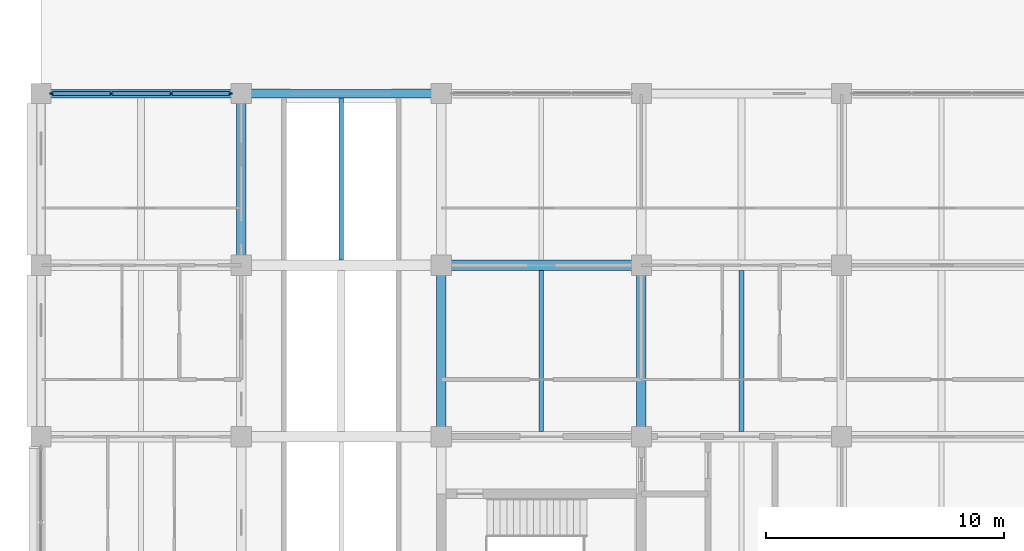
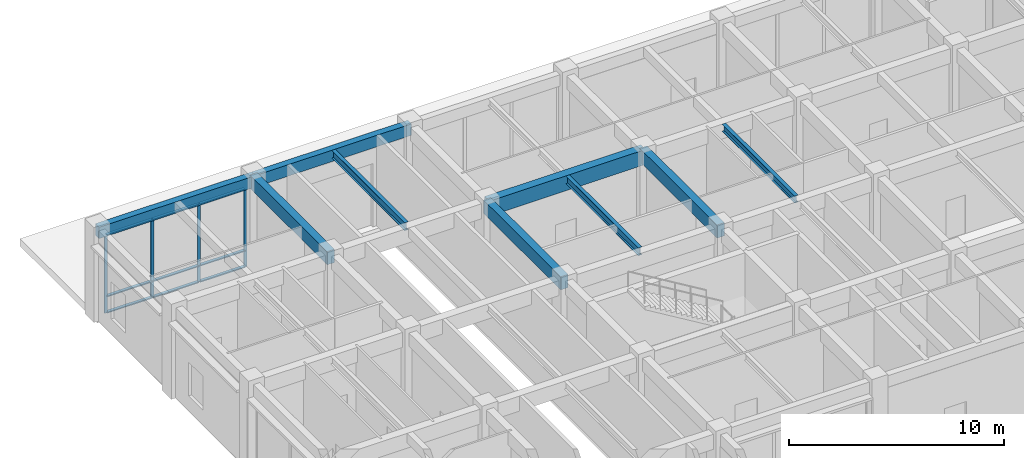
# One storey, part 16 of 73: 13 members, 9 beams, 1 element without a shape of its own.
"""IFC4 building model written with IfcOpenShell, lengths in metres."""

import ifcopenshell
import ifcopenshell.guid

model = None  # the IFC model being written
_history = None  # IfcOwnerHistory: only IFC2X3 demands one
_inside = {}  # id of a spatial element -> (the spatial element, [elements in it])
_under = {}  # id of a project, library or spatial element -> (it, [spatial elements below it])
_declared = {}  # id of a project -> (the project, [libraries it declares])
_typed = {}  # id of a type object -> (the type object, [elements of that type])
_made_of = {}  # id of a material, layer set ... -> (it, [elements and type objects made of it])


def new_model(schema):
    """Start an empty IFC model of exactly this schema.

    Asked for "IFC4X3", IfcOpenShell would pick the latest addendum, in which some entities
    have other attributes; the version numbers below select the first issue.
    IFC2X3 requires an IfcOwnerHistory on every rooted entity: one is made here for all.
    """
    global model, _history
    if schema == "IFC4X3":
        model = ifcopenshell.file(schema_version=(4, 3, 0, 0))
    else:
        model = ifcopenshell.file(schema=schema)
    _inside.clear()
    _under.clear()
    _declared.clear()
    _typed.clear()
    _made_of.clear()
    _history = None
    if model.schema == "IFC2X3":
        org = make("IfcOrganization", Name="unknown")
        user = make(
            "IfcPersonAndOrganization",
            ThePerson=make("IfcPerson", FamilyName="unknown"),
            TheOrganization=org,
        )
        app = make(
            "IfcApplication",
            ApplicationDeveloper=org,
            Version="unknown",
            ApplicationFullName="unknown",
            ApplicationIdentifier="unknown",
        )
        _history = make(
            "IfcOwnerHistory",
            OwningUser=user,
            OwningApplication=app,
            ChangeAction="ADDED",
            CreationDate=0,
        )
    return model


def make(cls, **values):
    """One entity of the class cls with the attributes given. An attribute that is None is left unset."""
    return model.create_entity(
        cls, **{name: value for name, value in values.items() if value is not None}
    )


def rooted(cls, **values):
    """An entity with a GlobalId (a new one), such as an element, a storey or a relation."""
    return make(cls, GlobalId=ifcopenshell.guid.new(), OwnerHistory=_history, **values)


def si_unit(unit_type, name, prefix=None):
    """IfcSIUnit, for example si_unit("LENGTHUNIT", "METRE", prefix="MILLI")."""
    return make("IfcSIUnit", UnitType=unit_type, Prefix=prefix, Name=name)


def assignment(units):
    """IfcUnitAssignment: the units of a project."""
    return None if units is None else make("IfcUnitAssignment", Units=units)


def point(xyz):
    """IfcCartesianPoint."""
    return None if xyz is None else make("IfcCartesianPoint", Coordinates=xyz)


def direction(xyz):
    """IfcDirection."""
    return None if xyz is None else make("IfcDirection", DirectionRatios=xyz)


def frame(location, z_axis=None, x_axis=None):
    """IfcAxis2Placement3D, a coordinate frame: its origin and axes. An axis left out is left unset."""
    return make(
        "IfcAxis2Placement3D",
        Location=point(location),
        Axis=direction(z_axis),
        RefDirection=direction(x_axis),
    )


def frame_2d(location, x_axis=None):
    """IfcAxis2Placement2D, a coordinate frame in the plane: its origin and x axis."""
    return make(
        "IfcAxis2Placement2D", Location=point(location), RefDirection=direction(x_axis)
    )


def origin():
    """The frame at (0, 0, 0) with its axes left unset."""
    return frame((0.0, 0.0, 0.0))


def origin_2d():
    """The frame at (0, 0) in the plane with its x axis left unset."""
    return frame_2d((0.0, 0.0))


def place(relative_to, where):
    """IfcLocalPlacement: puts the frame where relative to a parent placement (None: the world)."""
    return make(
        "IfcLocalPlacement", PlacementRelTo=relative_to, RelativePlacement=where
    )


def context(
    kind, dimensions, precision=None, world=None, true_north=None, identifier=None
):
    """IfcGeometricRepresentationContext, for example the 3D "Model" context."""
    return make(
        "IfcGeometricRepresentationContext",
        ContextIdentifier=identifier,
        ContextType=kind,
        CoordinateSpaceDimension=dimensions,
        Precision=precision,
        WorldCoordinateSystem=world,
        TrueNorth=true_north,
    )


def subcontext(parent, identifier, kind, view, scale=None):
    """IfcGeometricRepresentationSubContext, for example "Body" below "Model"."""
    return make(
        "IfcGeometricRepresentationSubContext",
        ContextIdentifier=identifier,
        ContextType=kind,
        ParentContext=parent,
        TargetScale=scale,
        TargetView=view,
    )


def project(units=None, contexts=None):
    """IfcProject with its units and contexts."""
    return rooted(
        "IfcProject",
        Name="project",
        RepresentationContexts=contexts,
        UnitsInContext=assignment(units),
    )


def spatial(cls, under=None, at=None, **own):
    """A site, building, storey or space (cls), placed at a placement, below another one or the project."""
    s = rooted(cls, ObjectPlacement=at, **own)
    if under is not None:
        _under.setdefault(under.id(), (under, []))[1].append(s)
    return s


def profile(cls, at=None, kind="AREA", **sizes):
    """A parametric profile (cls). Its sizes go by their IFC names, for example OverallWidth=200.0."""
    return make(cls, ProfileType=kind, Position=at, **sizes)


def rectangle(**sizes):
    """IfcRectangleProfileDef."""
    return profile("IfcRectangleProfileDef", **sizes)


def i_section(**sizes):
    """IfcIShapeProfileDef."""
    return profile("IfcIShapeProfileDef", **sizes)


def extrude(swept, where, along, depth):
    """IfcExtrudedAreaSolid: the profile swept, set in the frame where, extruded along a direction by depth."""
    return make(
        "IfcExtrudedAreaSolid",
        SweptArea=swept,
        Position=where,
        ExtrudedDirection=direction(along),
        Depth=depth,
    )


def shape(context_of_items, identifier, shape_type, items):
    """IfcShapeRepresentation: the items that make up one representation, for example the "Body"."""
    return make(
        "IfcShapeRepresentation",
        ContextOfItems=context_of_items,
        RepresentationIdentifier=identifier,
        RepresentationType=shape_type,
        Items=items,
    )


def material(Name=None, Category=None):
    """IfcMaterial."""
    return make("IfcMaterial", Name=Name, Category=Category)


def layer(
    of_material, thickness, ventilated=None, Name=None, Category=None, Priority=None
):
    """IfcMaterialLayer: one layer of a wall or slab, of a material (None: an air gap)."""
    return make(
        "IfcMaterialLayer",
        Material=of_material,
        LayerThickness=thickness,
        IsVentilated=ventilated,
        Name=Name,
        Category=Category,
        Priority=Priority,
    )


def layer_set(layers, Name=None):
    """IfcMaterialLayerSet."""
    return make("IfcMaterialLayerSet", MaterialLayers=layers, LayerSetName=Name)


def material_profile(
    of_material, cross_section, Name=None, Category=None, Priority=None
):
    """IfcMaterialProfile: a cross section and its material."""
    return make(
        "IfcMaterialProfile",
        Name=Name,
        Material=of_material,
        Profile=cross_section,
        Priority=Priority,
        Category=Category,
    )


def profile_set(profiles, Name=None, composite=None):
    """IfcMaterialProfileSet."""
    return make(
        "IfcMaterialProfileSet",
        Name=Name,
        MaterialProfiles=profiles,
        CompositeProfile=composite,
    )


def made_of(thing, what):
    """Note that an element or type object is made of a material, layer set ...; save() writes the relation."""
    if what is not None:
        _made_of.setdefault(what.id(), (what, []))[1].append(thing)
    return thing


def type_object(cls, material=None, **own):
    """A type object (cls), such as IfcWallType, which elements share."""
    return made_of(rooted(cls, **own), material)


def element(
    cls,
    number,
    at=None,
    inside=None,
    cuts=None,
    type_object=None,
    material=None,
    context=None,
    identifier="Body",
    shape_type=None,
    held_by="IfcProductDefinitionShape",
    body=None,
    shapes=None,
    **own,
):
    """One element of the class cls, such as IfcWall. Its Tag is "e" and its number.

    at: its placement. inside: the storey or other place that contains it. cuts: it is an
    opening in that element (IfcRelVoidsElement). A single representation is given by context,
    identifier, shape_type and body (its items); several are given by shapes. held_by: the class
    of the entity that holds the representations. save() writes the other relations.
    """
    e = rooted(cls, Tag="e%d" % number, ObjectPlacement=at, **own)
    if body is not None:
        shapes = [shape(context, identifier, shape_type, body)]
    if shapes is not None:
        e.Representation = make(held_by, Representations=shapes)
    if inside is not None:
        _inside.setdefault(inside.id(), (inside, []))[1].append(e)
    if cuts is not None:
        rooted(
            "IfcRelVoidsElement", RelatingBuildingElement=cuts, RelatedOpeningElement=e
        )
    if type_object is not None:
        _typed.setdefault(type_object.id(), (type_object, []))[1].append(e)
    return made_of(e, material)


def aggregate(whole, parts):
    """IfcRelAggregates: a whole, such as a stair, and the parts it consists of."""
    return rooted("IfcRelAggregates", RelatingObject=whole, RelatedObjects=parts)


def save(model, path):
    """Write the relations noted so far, then the file.

    IfcRelAggregates (storeys below a building ...), IfcRelContainedInSpatialStructure (elements
    in a storey), IfcRelDefinesByType, IfcRelAssociatesMaterial and IfcRelDeclares: one each for
    every whole, place, type object, material and project.
    """
    for whole, parts in _under.values():
        aggregate(whole, parts)
    for where, things in _inside.values():
        rooted(
            "IfcRelContainedInSpatialStructure",
            RelatedElements=things,
            RelatingStructure=where,
        )
    for kind, things in _typed.values():
        rooted("IfcRelDefinesByType", RelatedObjects=things, RelatingType=kind)
    for what, things in _made_of.values():
        rooted("IfcRelAssociatesMaterial", RelatedObjects=things, RelatingMaterial=what)
    for by, libraries in _declared.values():
        rooted("IfcRelDeclares", RelatingContext=by, RelatedDefinitions=libraries)
    model.write(path)


model = new_model("IFC4")

# Units and contexts
model_context = context("Model", 3, precision=1e-05, world=origin(), true_north=direction((0.0, 1.0)))
body_context = subcontext(model_context, "Body", "Model", "MODEL_VIEW")
ifc_project = project(units=[si_unit("LENGTHUNIT", "METRE"), si_unit("AREAUNIT", "SQUARE_METRE"), si_unit("VOLUMEUNIT", "CUBIC_METRE"), si_unit("PLANEANGLEUNIT", "RADIAN"), si_unit("MASSUNIT", "GRAM", prefix="KILO")], contexts=[model_context])

# Site, building, storey
site_placement = place(None, origin())
site = spatial("IfcSite", under=ifc_project, at=site_placement, CompositionType="ELEMENT")
building_placement = place(site_placement, origin())
building = spatial("IfcBuilding", under=site, at=building_placement, Name="Chengyuan Square Courthouse", CompositionType="ELEMENT")
storey_placement = place(building_placement, origin())
storey = spatial("IfcBuildingStorey", under=building, at=storey_placement, Name="L01", CompositionType="ELEMENT", Elevation=0.0)

# Beams
ifc_material_1 = material(Name="Concrete C40", Category="concrete")
ifc_material_profile_1 = material_profile(ifc_material_1, rectangle(XDim=0.449951171875, YDim=0.85009765625, at=origin_2d()), Name="RC-BM-450x850")
ifc_profile_set_1 = profile_set([ifc_material_profile_1], Name="Concrete C40")
beam_type_1 = type_object("IfcBeamType", Name="BM-01", PredefinedType="USERDEFINED", material=ifc_profile_set_1)
beam_1_placement = place(storey_placement, frame((16.800048828125, 100.800048828125, 4.695068359375), z_axis=(1.0, 0.0, 0.0), x_axis=(0.0, 1.0, 0.0)))
element("IfcBeam", 1, at=beam_1_placement, inside=storey, type_object=beam_type_1, Name="Girder BM-L01-1751", ObjectType="GIRDER", PredefinedType="USERDEFINED", context=body_context, shape_type="SweptSolid", body=[
    extrude(rectangle(XDim=0.449951171875, YDim=0.85009765625, at=origin_2d()), origin(), (0.0, 0.0, 1.0), 8.39990234375),
])
ifc_material_profile_2 = material_profile(ifc_material_1, rectangle(XDim=0.39990234375, YDim=0.75, at=origin_2d()), Name="RC-BM-400x750")
ifc_profile_set_2 = profile_set([ifc_material_profile_2], Name="Concrete C40")
beam_type_2 = type_object("IfcBeamType", Name="BM-02", PredefinedType="USERDEFINED", material=ifc_profile_set_2)
for number, where, z_axis, x_axis, name in (
    (2, (8.39990234375, 100.800048828125, 4.7451171875), (0.0, 1.0, 0.0), (-1.0, 0.0, 0.0), "Girder BM-L01-1826"),
    (3, (16.800048828125, 93.60009765625, 4.7451171875), (0.0, 1.0, 0.0), (-1.0, 0.0, 0.0), "Girder BM-L01-1840"),
    (4, (25.199951171875, 93.60009765625, 4.7451171875), (0.0, 1.0, 0.0), (-1.0, 0.0, 0.0), "Girder BM-L01-1844"),
):
    element("IfcBeam", number, at=place(storey_placement, frame(where, z_axis=z_axis, x_axis=x_axis)), inside=storey, type_object=beam_type_2, Name=name, ObjectType="GIRDER", PredefinedType="USERDEFINED", context=body_context, shape_type="SweptSolid", body=[
        extrude(rectangle(XDim=0.39990234375, YDim=0.75, at=origin_2d()), origin(), (0.0, 0.0, 1.0), 7.199951171875),
    ])
ifc_material_profile_3 = material_profile(ifc_material_1, rectangle(XDim=0.35009765625, YDim=0.64990234375, at=origin_2d()), Name="RC-BM-350x650")
ifc_profile_set_3 = profile_set([ifc_material_profile_3], Name="Concrete C40")
beam_type_3 = type_object("IfcBeamType", Name="BM-03", PredefinedType="SPANDREL", material=ifc_profile_set_3)
beam_2_placement = place(storey_placement, frame((0.0, 108.0, 4.794921875), z_axis=(1.0, 0.0, 0.0), x_axis=(0.0, 1.0, 0.0)))
element("IfcBeam", 5, at=beam_2_placement, inside=storey, type_object=beam_type_3, Name="Girder BM-L01-1769", PredefinedType="SPANDREL", context=body_context, shape_type="SweptSolid", body=[
    extrude(rectangle(XDim=0.35009765625, YDim=0.64990234375, at=origin_2d()), origin(), (0.0, 0.0, 1.0), 8.39990234375),
])
beam_3_placement = place(storey_placement, frame((8.39990234375, 108.0, 4.794921875), z_axis=(1.0, 0.0, 0.0), x_axis=(0.0, 1.0, 0.0)))
element("IfcBeam", 6, at=beam_3_placement, inside=storey, type_object=beam_type_3, Name="Girder BM-L01-1770", PredefinedType="SPANDREL", context=body_context, shape_type="SweptSolid", body=[
    extrude(rectangle(XDim=0.35009765625, YDim=0.64990234375, at=origin_2d()), origin(), (0.0, 0.0, 1.0), 8.400146484375),
])
ifc_material_2 = material(Name="Steel Q355B", Category="steel")
ifc_material_profile_4 = material_profile(ifc_material_2, i_section(OverallWidth=0.199951171875, OverallDepth=0.449951171875, WebThickness=0.009033203125, FlangeThickness=0.013916015625, at=origin_2d()), Name="HN 450x200x9x14")
ifc_profile_set_4 = profile_set([ifc_material_profile_4], Name="Steel Q355B")
beam_type_4 = type_object("IfcBeamType", Name="BM-06", PredefinedType="BEAM", material=ifc_profile_set_4)
beam_4_placement = place(storey_placement, frame((12.60009765625, 101.02490234375, 4.89501953125), z_axis=(0.0, 1.0, 0.0), x_axis=(-1.0, 0.0, 0.0)))
element("IfcBeam", 7, at=beam_4_placement, inside=storey, type_object=beam_type_4, Name="Secondary Floor Beam SBM-L01-1985", PredefinedType="BEAM", context=body_context, shape_type="SweptSolid", body=[
    extrude(i_section(OverallWidth=0.199951171875, OverallDepth=0.449951171875, WebThickness=0.009033203125, FlangeThickness=0.013916015625, at=origin_2d()), origin(), (0.0, 0.0, 1.0), 6.800048828125),
])
beam_5_placement = place(storey_placement, frame((21.0, 93.824951171875, 4.89501953125), z_axis=(0.0, 1.0, 0.0), x_axis=(-1.0, 0.0, 0.0)))
element("IfcBeam", 8, at=beam_5_placement, inside=storey, type_object=beam_type_4, Name="Secondary Floor Beam SBM-L01-1987", PredefinedType="BEAM", context=body_context, shape_type="SweptSolid", body=[
    extrude(i_section(OverallWidth=0.199951171875, OverallDepth=0.449951171875, WebThickness=0.009033203125, FlangeThickness=0.013916015625, at=origin_2d()), origin(), (0.0, 0.0, 1.0), 6.75),
])
ifc_material_profile_5 = material_profile(ifc_material_2, i_section(OverallWidth=0.199951171875, OverallDepth=0.39990234375, WebThickness=0.008056640625, FlangeThickness=0.012939453125, at=origin_2d()), Name="HN 400x200x8x13")
ifc_profile_set_5 = profile_set([ifc_material_profile_5], Name="Steel Q355B")
beam_type_5 = type_object("IfcBeamType", Name="BM-07", PredefinedType="BEAM", material=ifc_profile_set_5)
beam_6_placement = place(storey_placement, frame((29.39990234375, 93.824951171875, 4.919921875), z_axis=(0.0, 1.0, 0.0), x_axis=(-1.0, 0.0, 0.0)))
element("IfcBeam", 9, at=beam_6_placement, inside=storey, type_object=beam_type_5, Name="Secondary Floor Beam SBM-L01-1991", PredefinedType="BEAM", context=body_context, shape_type="SweptSolid", body=[
    extrude(i_section(OverallWidth=0.199951171875, OverallDepth=0.39990234375, WebThickness=0.008056640625, FlangeThickness=0.012939453125, at=origin_2d()), origin(), (0.0, 0.0, 1.0), 6.75),
])

# Curtain wall, members
ifc_material_3 = material(Name="Unitised Aluminium and Triple Low-E Glass", Category="aluminium")
ifc_layer = layer(ifc_material_3, 0.159912109375)
ifc_layer_set = layer_set([ifc_layer], Name="Unitised Aluminium and Triple Low-E Glass")
curtain_wall_type = type_object("IfcCurtainWallType", Name="CW-01", PredefinedType="USERDEFINED", material=ifc_layer_set)
curtain_wall_placement = place(storey_placement, origin())
curtain_wall = element("IfcCurtainWall", 10, at=curtain_wall_placement, inside=storey, type_object=curtain_wall_type, Name="Unitised Curtain Wall CW-L01-009", ObjectType="UNITISED CURTAIN WALL", PredefinedType="USERDEFINED")
ifc_material_4 = material(Name="Aluminium 6063-T6 Frame", Category="aluminium")
ifc_material_profile_6 = material_profile(ifc_material_4, rectangle(XDim=0.06005859375, YDim=0.159912109375, at=origin_2d()), Name="CW-MUL-60x160")
ifc_profile_set_6 = profile_set([ifc_material_profile_6], Name="Aluminium 6063-T6 Frame")
member_type_1 = type_object("IfcMemberType", Name="CWM-01", PredefinedType="MULLION", material=ifc_profile_set_6)
member_1_placement = place(storey_placement, frame((0.455078125, 108.0, 0.0), z_axis=(0.0, 0.0, 1.0), x_axis=(0.0, 1.0, 0.0)))
member_1 = element("IfcMember", 11, at=member_1_placement, type_object=member_type_1, Name="CW-01 mullion 1", PredefinedType="MULLION", context=body_context, shape_type="SweptSolid", body=[
    extrude(rectangle(XDim=0.06005859375, YDim=0.159912109375, at=origin_2d()), origin(), (0.0, 0.0, 1.0), 4.469970703125),
])
member_2_placement = place(storey_placement, frame((2.941650390625, 108.0, 0.0), z_axis=(0.0, 0.0, 1.0), x_axis=(0.0, 1.0, 0.0)))
member_2 = element("IfcMember", 12, at=member_2_placement, type_object=member_type_1, Name="CW-01 mullion 2", PredefinedType="MULLION", context=body_context, shape_type="SweptSolid", body=[
    extrude(rectangle(XDim=0.06005859375, YDim=0.159912109375, at=origin_2d()), origin(), (0.0, 0.0, 1.0), 4.469970703125),
])
member_3_placement = place(storey_placement, frame((5.458251953125, 108.0, 0.0), z_axis=(0.0, 0.0, 1.0), x_axis=(0.0, 1.0, 0.0)))
member_3 = element("IfcMember", 13, at=member_3_placement, type_object=member_type_1, Name="CW-01 mullion 3", PredefinedType="MULLION", context=body_context, shape_type="SweptSolid", body=[
    extrude(rectangle(XDim=0.06005859375, YDim=0.159912109375, at=origin_2d()), origin(), (0.0, 0.0, 1.0), 4.469970703125),
])
member_4_placement = place(storey_placement, frame((7.945068359375, 108.0, 0.0), z_axis=(0.0, 0.0, 1.0), x_axis=(0.0, 1.0, 0.0)))
member_4 = element("IfcMember", 14, at=member_4_placement, type_object=member_type_1, Name="CW-01 mullion 4", PredefinedType="MULLION", context=body_context, shape_type="SweptSolid", body=[
    extrude(rectangle(XDim=0.06005859375, YDim=0.159912109375, at=origin_2d()), origin(), (0.0, 0.0, 1.0), 4.469970703125),
])
ifc_material_profile_7 = material_profile(ifc_material_4, rectangle(XDim=0.159912109375, YDim=0.06005859375, at=origin_2d()), Name="CW-TRN-60x120")
ifc_profile_set_7 = profile_set([ifc_material_profile_7], Name="Aluminium 6063-T6 Frame")
member_type_2 = type_object("IfcMemberType", Name="CWT-01", PredefinedType="USERDEFINED", material=ifc_profile_set_7)
member_5_placement = place(storey_placement, frame((0.485107421875, 108.0, 0.030029296875), z_axis=(1.0, 0.0, 0.0), x_axis=(0.0, 1.0, 0.0)))
member_5 = element("IfcMember", 15, at=member_5_placement, type_object=member_type_2, Name="CW-01 transom 1.1", ObjectType="TRANSOM", PredefinedType="USERDEFINED", context=body_context, shape_type="SweptSolid", body=[
    extrude(rectangle(XDim=0.159912109375, YDim=0.06005859375, at=origin_2d()), origin(), (0.0, 0.0, 1.0), 2.426513671875),
])
member_6_placement = place(storey_placement, frame((0.485107421875, 108.0, 0.949951171875), z_axis=(1.0, 0.0, 0.0), x_axis=(0.0, 1.0, 0.0)))
member_6 = element("IfcMember", 16, at=member_6_placement, type_object=member_type_2, Name="CW-01 transom 1.2", ObjectType="TRANSOM", PredefinedType="USERDEFINED", context=body_context, shape_type="SweptSolid", body=[
    extrude(rectangle(XDim=0.159912109375, YDim=0.06005859375, at=origin_2d()), origin(), (0.0, 0.0, 1.0), 2.426513671875),
])
member_7_placement = place(storey_placement, frame((0.485107421875, 108.0, 4.43994140625), z_axis=(1.0, 0.0, 0.0), x_axis=(0.0, 1.0, 0.0)))
member_7 = element("IfcMember", 17, at=member_7_placement, type_object=member_type_2, Name="CW-01 transom 1.3", ObjectType="TRANSOM", PredefinedType="USERDEFINED", context=body_context, shape_type="SweptSolid", body=[
    extrude(rectangle(XDim=0.159912109375, YDim=0.06005859375, at=origin_2d()), origin(), (0.0, 0.0, 1.0), 2.426513671875),
])
member_8_placement = place(storey_placement, frame((2.9716796875, 108.0, 0.030029296875), z_axis=(1.0, 0.0, 0.0), x_axis=(0.0, 1.0, 0.0)))
member_8 = element("IfcMember", 18, at=member_8_placement, type_object=member_type_2, Name="CW-01 transom 2.1", ObjectType="TRANSOM", PredefinedType="USERDEFINED", context=body_context, shape_type="SweptSolid", body=[
    extrude(rectangle(XDim=0.159912109375, YDim=0.06005859375, at=origin_2d()), origin(), (0.0, 0.0, 1.0), 2.45654296875),
])
member_9_placement = place(storey_placement, frame((2.9716796875, 108.0, 0.949951171875), z_axis=(1.0, 0.0, 0.0), x_axis=(0.0, 1.0, 0.0)))
member_9 = element("IfcMember", 19, at=member_9_placement, type_object=member_type_2, Name="CW-01 transom 2.2", ObjectType="TRANSOM", PredefinedType="USERDEFINED", context=body_context, shape_type="SweptSolid", body=[
    extrude(rectangle(XDim=0.159912109375, YDim=0.06005859375, at=origin_2d()), origin(), (0.0, 0.0, 1.0), 2.45654296875),
])
member_10_placement = place(storey_placement, frame((2.9716796875, 108.0, 4.43994140625), z_axis=(1.0, 0.0, 0.0), x_axis=(0.0, 1.0, 0.0)))
member_10 = element("IfcMember", 20, at=member_10_placement, type_object=member_type_2, Name="CW-01 transom 2.3", ObjectType="TRANSOM", PredefinedType="USERDEFINED", context=body_context, shape_type="SweptSolid", body=[
    extrude(rectangle(XDim=0.159912109375, YDim=0.06005859375, at=origin_2d()), origin(), (0.0, 0.0, 1.0), 2.45654296875),
])
member_11_placement = place(storey_placement, frame((5.48828125, 108.0, 0.030029296875), z_axis=(1.0, 0.0, 0.0), x_axis=(0.0, 1.0, 0.0)))
member_11 = element("IfcMember", 21, at=member_11_placement, type_object=member_type_2, Name="CW-01 transom 3.1", ObjectType="TRANSOM", PredefinedType="USERDEFINED", context=body_context, shape_type="SweptSolid", body=[
    extrude(rectangle(XDim=0.159912109375, YDim=0.06005859375, at=origin_2d()), origin(), (0.0, 0.0, 1.0), 2.4267578125),
])
member_12_placement = place(storey_placement, frame((5.48828125, 108.0, 0.949951171875), z_axis=(1.0, 0.0, 0.0), x_axis=(0.0, 1.0, 0.0)))
member_12 = element("IfcMember", 22, at=member_12_placement, type_object=member_type_2, Name="CW-01 transom 3.2", ObjectType="TRANSOM", PredefinedType="USERDEFINED", context=body_context, shape_type="SweptSolid", body=[
    extrude(rectangle(XDim=0.159912109375, YDim=0.06005859375, at=origin_2d()), origin(), (0.0, 0.0, 1.0), 2.4267578125),
])
member_13_placement = place(storey_placement, frame((5.48828125, 108.0, 4.43994140625), z_axis=(1.0, 0.0, 0.0), x_axis=(0.0, 1.0, 0.0)))
member_13 = element("IfcMember", 23, at=member_13_placement, type_object=member_type_2, Name="CW-01 transom 3.3", ObjectType="TRANSOM", PredefinedType="USERDEFINED", context=body_context, shape_type="SweptSolid", body=[
    extrude(rectangle(XDim=0.159912109375, YDim=0.06005859375, at=origin_2d()), origin(), (0.0, 0.0, 1.0), 2.4267578125),
])
aggregate(curtain_wall, [member_1, member_2, member_3, member_4, member_5, member_6, member_7, member_8, member_9, member_10, member_11, member_12, member_13])

save(model, "model.ifc")
